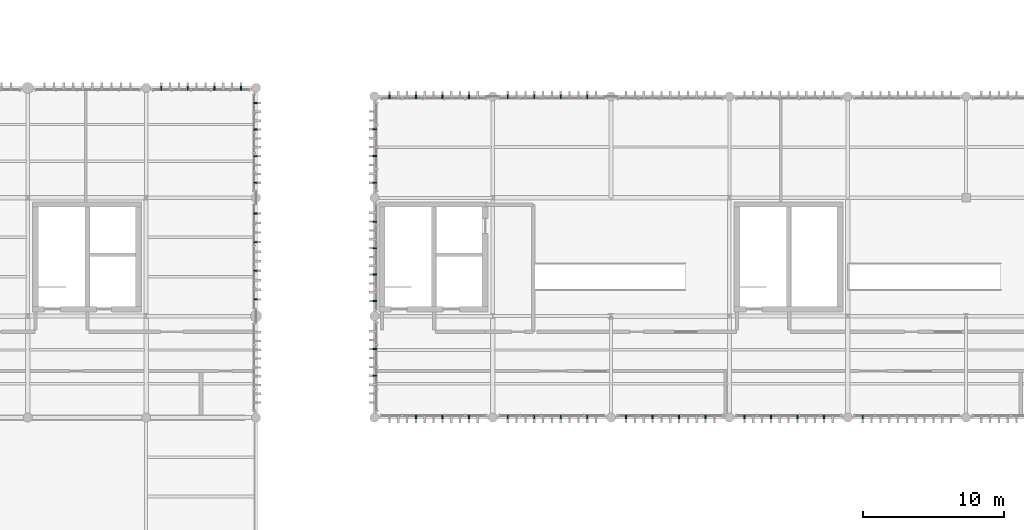
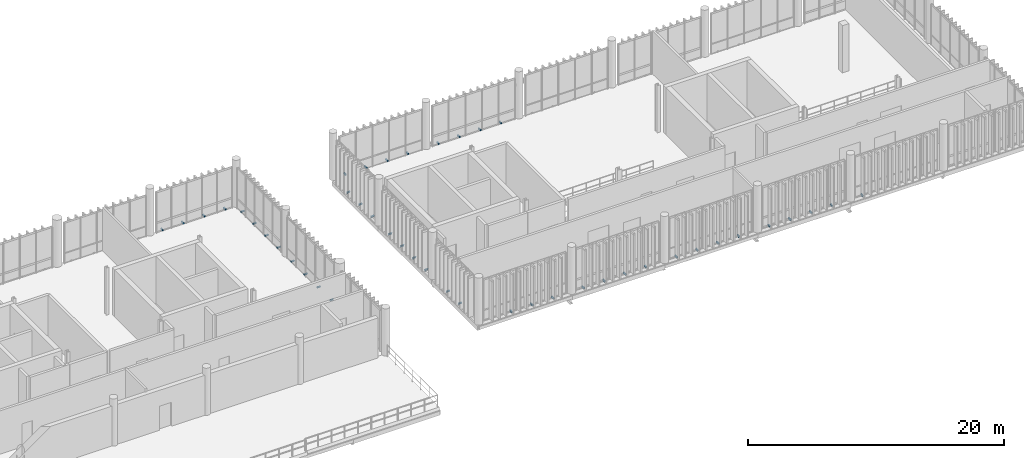
# One storey, part 60 of 66: 45 discrete accessories.
"""IFC4 building model written with IfcOpenShell, lengths in metres."""

from ifc_helpers import new_model, si_unit, direction, frame, origin_with_axes, origin_2d_with_axis, place, context, subcontext, project, spatial, rectangle, extrude, material, type_object, element, save


model = new_model("IFC4")

# Units and contexts
model_context = context("Model", 3, precision=1e-05, world=origin_with_axes(), true_north=direction((0.0, 1.0)))
body_context = subcontext(model_context, "Body", "Model", "MODEL_VIEW")
ifc_project = project(units=[si_unit("LENGTHUNIT", "METRE"), si_unit("AREAUNIT", "SQUARE_METRE"), si_unit("VOLUMEUNIT", "CUBIC_METRE"), si_unit("PLANEANGLEUNIT", "RADIAN"), si_unit("MASSUNIT", "GRAM", prefix="KILO"), si_unit("THERMODYNAMICTEMPERATUREUNIT", "KELVIN")], contexts=[model_context])

# Site, building, storey
site_placement = place(None, origin_with_axes())
site = spatial("IfcSite", under=ifc_project, at=site_placement, CompositionType="ELEMENT")
building_placement = place(site_placement, origin_with_axes())
building = spatial("IfcBuilding", under=site, at=building_placement, Name="Montbau Bow Law Courts", CompositionType="ELEMENT")
storey_placement = place(building_placement, frame((0.0, 0.0, 34.5), z_axis=(0.0, 0.0, 1.0), x_axis=(1.0, 0.0, 0.0)))
storey = spatial("IfcBuildingStorey", under=building, at=storey_placement, Name="L07", CompositionType="ELEMENT", Elevation=34.5)

# Discrete accessories
ifc_material = material(Name="Stainless Steel AISI 316L Outrigger Louvre Bracket", Category="steel")
discrete_accessory_type = type_object("IfcDiscreteAccessoryType", Name="DA-BRK-01", PredefinedType="BRACKET", material=ifc_material)
for number, where, z_axis, x_axis, name in (
    (1, (40.069, 62.36, 34.5), (0.0, 0.0, 1.0), (0.0, 1.0, 0.0), "BRK-L07-0382:brk_0382"),
    (2, (41.956, 62.36, 34.5), (0.0, 0.0, 1.0), (0.0, 1.0, 0.0), "BRK-L07-0383:brk_0383"),
    (3, (43.844, 62.36, 34.5), (0.0, 0.0, 1.0), (0.0, 1.0, 0.0), "BRK-L07-0384:brk_0384"),
    (4, (45.731, 62.36, 34.5), (0.0, 0.0, 1.0), (0.0, 1.0, 0.0), "BRK-L07-0385:brk_0385"),
    (5, (46.76, 47.392, 34.5), (0.0, 0.0, 1.0), (1.0, 0.0, 0.0), "BRK-L07-0400:brk_0400"),
    (6, (46.76, 49.422, 34.5), (0.0, 0.0, 1.0), (1.0, 0.0, 0.0), "BRK-L07-0401:brk_0401"),
    (7, (46.76, 51.453, 34.5), (0.0, 0.0, 1.0), (1.0, 0.0, 0.0), "BRK-L07-0402:brk_0402"),
    (8, (46.76, 53.483, 34.5), (0.0, 0.0, 1.0), (1.0, 0.0, 0.0), "BRK-L07-0403:brk_0403"),
    (9, (46.76, 55.669, 34.5), (0.0, 0.0, 1.0), (1.0, 0.0, 0.0), "BRK-L07-0404:brk_0404"),
    (10, (46.76, 57.556, 34.5), (0.0, 0.0, 1.0), (1.0, 0.0, 0.0), "BRK-L07-0405:brk_0405"),
    (11, (46.76, 59.444, 34.5), (0.0, 0.0, 1.0), (1.0, 0.0, 0.0), "BRK-L07-0406:brk_0406"),
    (12, (46.76, 61.331, 34.5), (0.0, 0.0, 1.0), (1.0, 0.0, 0.0), "BRK-L07-0407:brk_0407"),
    (13, (58.147, 39.04, 34.5), (0.0, 0.0, 1.0), (0.0, -1.0, 0.0), "BRK-L07-0796:brk_0796"),
    (14, (60.027, 39.04, 34.5), (0.0, 0.0, 1.0), (0.0, -1.0, 0.0), "BRK-L07-0797:brk_0797"),
    (15, (61.907, 39.04, 34.5), (0.0, 0.0, 1.0), (0.0, -1.0, 0.0), "BRK-L07-0798:brk_0798"),
    (16, (64.667, 39.04, 34.5), (0.0, 0.0, 1.0), (0.0, -1.0, 0.0), "BRK-L07-0799:brk_0799"),
    (17, (66.547, 39.04, 34.5), (0.0, 0.0, 1.0), (0.0, -1.0, 0.0), "BRK-L07-0800:brk_0800"),
    (18, (68.427, 39.04, 34.5), (0.0, 0.0, 1.0), (0.0, -1.0, 0.0), "BRK-L07-0801:brk_0801"),
    (19, (70.307, 39.04, 34.5), (0.0, 0.0, 1.0), (0.0, -1.0, 0.0), "BRK-L07-0802:brk_0802"),
    (20, (73.067, 39.04, 34.5), (0.0, 0.0, 1.0), (0.0, -1.0, 0.0), "BRK-L07-0803:brk_0803"),
    (21, (74.947, 39.04, 34.5), (0.0, 0.0, 1.0), (0.0, -1.0, 0.0), "BRK-L07-0804:brk_0804"),
    (22, (76.827, 39.04, 34.5), (0.0, 0.0, 1.0), (0.0, -1.0, 0.0), "BRK-L07-0805:brk_0805"),
    (23, (78.707, 39.04, 34.5), (0.0, 0.0, 1.0), (0.0, -1.0, 0.0), "BRK-L07-0806:brk_0806"),
    (24, (81.467, 39.04, 34.5), (0.0, 0.0, 1.0), (0.0, -1.0, 0.0), "BRK-L07-0807:brk_0807"),
    (25, (83.347, 39.04, 34.5), (0.0, 0.0, 1.0), (0.0, -1.0, 0.0), "BRK-L07-0808:brk_0808"),
    (26, (85.227, 39.04, 34.5), (0.0, 0.0, 1.0), (0.0, -1.0, 0.0), "BRK-L07-0809:brk_0809"),
    (27, (87.107, 39.04, 34.5), (0.0, 0.0, 1.0), (0.0, -1.0, 0.0), "BRK-L07-0810:brk_0810"),
    (28, (89.867, 39.04, 34.5), (0.0, 0.0, 1.0), (0.0, -1.0, 0.0), "BRK-L07-0811:brk_0811"),
    (29, (56.267, 61.76, 34.5), (0.0, 0.0, 1.0), (0.0, 1.0, 0.0), "BRK-L07-0819:brk_0819"),
    (30, (58.147, 61.76, 34.5), (0.0, 0.0, 1.0), (0.0, 1.0, 0.0), "BRK-L07-0820:brk_0820"),
    (31, (60.027, 61.76, 34.5), (0.0, 0.0, 1.0), (0.0, 1.0, 0.0), "BRK-L07-0821:brk_0821"),
    (32, (61.907, 61.76, 34.5), (0.0, 0.0, 1.0), (0.0, 1.0, 0.0), "BRK-L07-0822:brk_0822"),
    (33, (64.667, 61.76, 34.5), (0.0, 0.0, 1.0), (0.0, 1.0, 0.0), "BRK-L07-0823:brk_0823"),
    (34, (66.547, 61.76, 34.5), (0.0, 0.0, 1.0), (0.0, 1.0, 0.0), "BRK-L07-0824:brk_0824"),
    (35, (68.427, 61.76, 34.5), (0.0, 0.0, 1.0), (0.0, 1.0, 0.0), "BRK-L07-0825:brk_0825"),
    (36, (70.307, 61.76, 34.5), (0.0, 0.0, 1.0), (0.0, 1.0, 0.0), "BRK-L07-0826:brk_0826"),
    (37, (55.24, 41.968, 34.5), (0.0, 0.0, 1.0), (-1.0, 0.0, 0.0), "BRK-L07-0844:brk_0844"),
    (38, (55.24, 43.864, 34.5), (0.0, 0.0, 1.0), (-1.0, 0.0, 0.0), "BRK-L07-0845:brk_0845"),
    (39, (55.24, 47.267, 34.5), (0.0, 0.0, 1.0), (-1.0, 0.0, 0.0), "BRK-L07-0846:brk_0846"),
    (40, (55.24, 49.147, 34.5), (0.0, 0.0, 1.0), (-1.0, 0.0, 0.0), "BRK-L07-0847:brk_0847"),
    (41, (55.24, 51.027, 34.5), (0.0, 0.0, 1.0), (-1.0, 0.0, 0.0), "BRK-L07-0848:brk_0848"),
    (42, (55.24, 52.907, 34.5), (0.0, 0.0, 1.0), (-1.0, 0.0, 0.0), "BRK-L07-0849:brk_0849"),
    (43, (55.24, 55.672, 34.5), (0.0, 0.0, 1.0), (-1.0, 0.0, 0.0), "BRK-L07-0850:brk_0850"),
    (44, (55.24, 57.568, 34.5), (0.0, 0.0, 1.0), (-1.0, 0.0, 0.0), "BRK-L07-0851:brk_0851"),
    (45, (55.24, 59.464, 34.5), (0.0, 0.0, 1.0), (-1.0, 0.0, 0.0), "BRK-L07-0852:brk_0852"),
):
    element("IfcDiscreteAccessory", number, at=place(None, frame(where, z_axis=z_axis, x_axis=x_axis)), inside=storey, type_object=discrete_accessory_type, Name=name, PredefinedType="BRACKET", context=body_context, shape_type="SweptSolid", body=[
        extrude(rectangle(XDim=0.28, YDim=0.09, at=origin_2d_with_axis()), origin_with_axes(), (0.0, 0.0, 1.0), 0.12),
    ])

save(model, "model.ifc")
